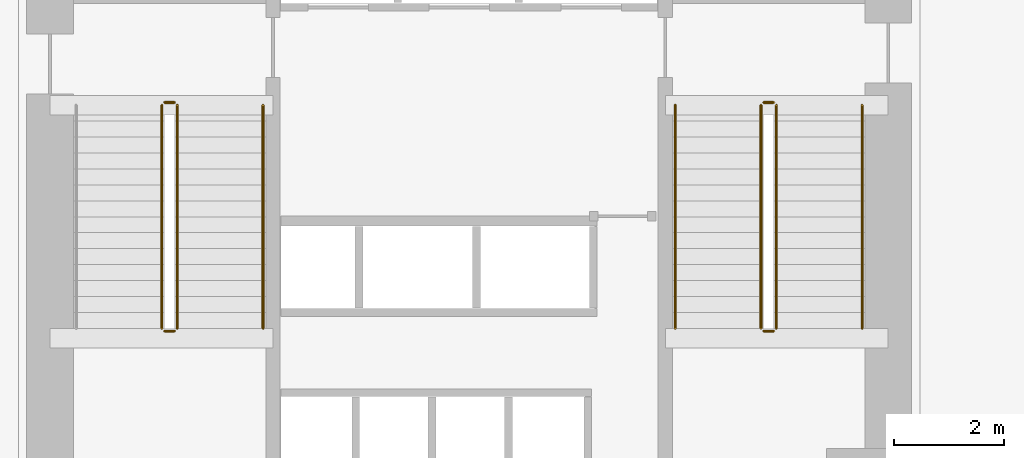
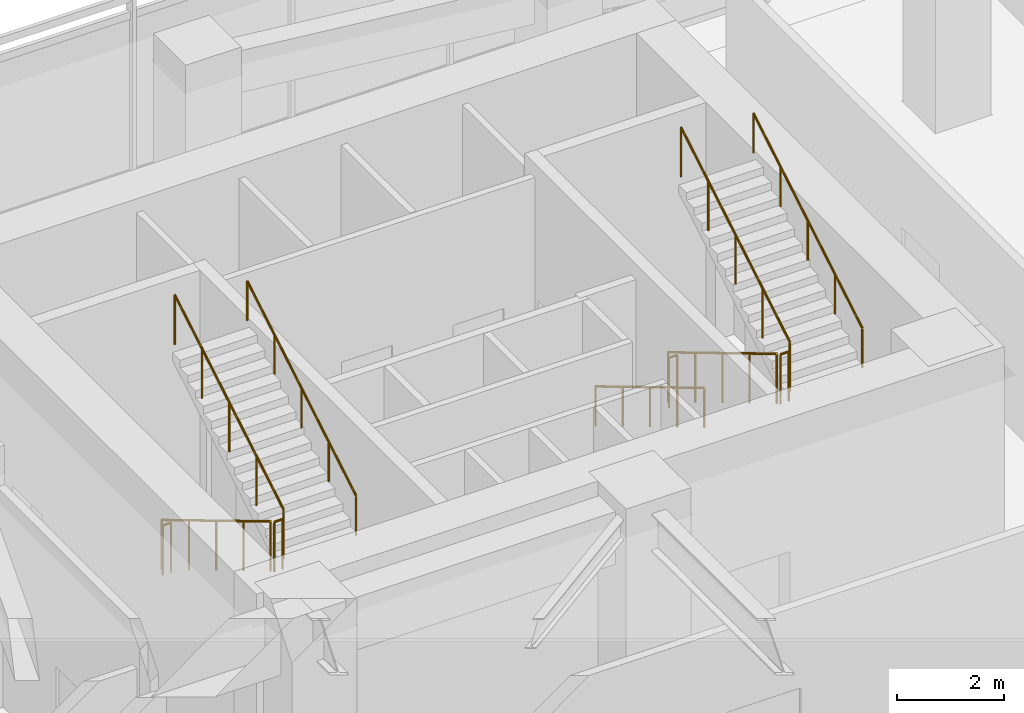
# One storey, part 16 of 16: 11 railings.
"""IFC4 building model written with IfcOpenShell, lengths in metres."""

from ifc_helpers import new_model, si_unit, direction, frame, origin, origin_2d, place, context, subcontext, project, spatial, circle, extrude, material, type_object, element, save


model = new_model("IFC4")

# Units and contexts
model_context = context("Model", 3, precision=1e-05, world=origin(), true_north=direction((0.0, 1.0)))
body_context = subcontext(model_context, "Body", "Model", "MODEL_VIEW")
ifc_project = project(units=[si_unit("LENGTHUNIT", "METRE"), si_unit("AREAUNIT", "SQUARE_METRE"), si_unit("VOLUMEUNIT", "CUBIC_METRE"), si_unit("PLANEANGLEUNIT", "RADIAN"), si_unit("MASSUNIT", "GRAM", prefix="KILO")], contexts=[model_context])

# Site, building, storey
site_placement = place(None, origin())
site = spatial("IfcSite", under=ifc_project, at=site_placement, CompositionType="ELEMENT")
building_placement = place(site_placement, origin())
building = spatial("IfcBuilding", under=site, at=building_placement, Name="Calvemar Wedge Station Tower", CompositionType="ELEMENT")
storey_placement = place(building_placement, frame((0.0, 0.0, 6.0)))
storey = spatial("IfcBuildingStorey", under=building, at=storey_placement, Name="L02", CompositionType="ELEMENT", Elevation=6.0)

# Railings
ifc_material_1 = material(Name="Stainless steel AISI 316L", Category="steel")
railing_type_1 = type_object("IfcRailingType", Name="RL-HANDRAIL-920", PredefinedType="HANDRAIL", material=ifc_material_1)
railing_1_placement = place(storey_placement, frame((20.050048828125, 37.090087890625, 2.7734375)))
element("IfcRailing", 1, at=railing_1_placement, inside=storey, type_object=railing_type_1, Name="L02 ST-C1 stair handrail 2", PredefinedType="HANDRAIL", context=body_context, shape_type="SweptSolid", body=[
    extrude(circle(Radius=0.02392578125, at=origin_2d()), frame((0.0, 0.0, 0.89599609375), z_axis=(0.0, 0.858366167383, 0.513037545109), x_axis=(-1.0, 0.0, 0.0)), (0.0, 0.0, 1.0), 4.729736328125),
    extrude(circle(Radius=0.02099609375, at=origin_2d()), origin(), (0.0, 0.0, 1.0), 0.871826171875),
    extrude(circle(Radius=0.02099609375, at=origin_2d()), frame((0.0, 1.014892578125, 0.606689453125)), (0.0, 0.0, 1.0), 0.871826171875),
    extrude(circle(Radius=0.02099609375, at=origin_2d()), frame((0.0, 2.02978515625, 1.21337890625)), (0.0, 0.0, 1.0), 0.871826171875),
    extrude(circle(Radius=0.02099609375, at=origin_2d()), frame((0.0, 3.044921875, 1.81982421875)), (0.0, 0.0, 1.0), 0.871826171875),
    extrude(circle(Radius=0.02099609375, at=origin_2d()), frame((0.0, 4.059814453125, 2.426513671875)), (0.0, 0.0, 1.0), 0.871826171875),
])
railing_2_placement = place(storey_placement, frame((27.550048828125, 41.14990234375, 0.17333984375)))
element("IfcRailing", 2, at=railing_2_placement, inside=storey, type_object=railing_type_1, Name="L02 ST-C2 stair handrail 1", PredefinedType="HANDRAIL", context=body_context, shape_type="SweptSolid", body=[
    extrude(circle(Radius=0.02392578125, at=origin_2d()), frame((0.0, 0.0, 0.89599609375), z_axis=(0.0, -0.858343435637, 0.513075575815), x_axis=(1.0, 0.0, 0.0)), (0.0, 0.0, 1.0), 4.729736328125),
    extrude(circle(Radius=0.02099609375, at=origin_2d()), origin(), (0.0, 0.0, 1.0), 0.871826171875),
    extrude(circle(Radius=0.02099609375, at=origin_2d()), frame((0.0, -1.014892578125, 0.606689453125)), (0.0, 0.0, 1.0), 0.871826171875),
    extrude(circle(Radius=0.02099609375, at=origin_2d()), frame((0.0, -2.02978515625, 1.21337890625)), (0.0, 0.0, 1.0), 0.871826171875),
    extrude(circle(Radius=0.02099609375, at=origin_2d()), frame((0.0, -3.044921875, 1.820068359375)), (0.0, 0.0, 1.0), 0.871826171875),
    extrude(circle(Radius=0.02099609375, at=origin_2d()), frame((0.0, -4.059814453125, 2.4267578125)), (0.0, 0.0, 1.0), 0.871826171875),
])
railing_3_placement = place(storey_placement, frame((30.949951171875, 37.090087890625, 2.7734375)))
element("IfcRailing", 3, at=railing_3_placement, inside=storey, type_object=railing_type_1, Name="L02 ST-C2 stair handrail 2", PredefinedType="HANDRAIL", context=body_context, shape_type="SweptSolid", body=[
    extrude(circle(Radius=0.02392578125, at=origin_2d()), frame((0.0, 0.0, 0.89599609375), z_axis=(0.0, 0.858366167383, 0.513037545109), x_axis=(-1.0, 0.0, 0.0)), (0.0, 0.0, 1.0), 4.729736328125),
    extrude(circle(Radius=0.02099609375, at=origin_2d()), origin(), (0.0, 0.0, 1.0), 0.871826171875),
    extrude(circle(Radius=0.02099609375, at=origin_2d()), frame((0.0, 1.014892578125, 0.606689453125)), (0.0, 0.0, 1.0), 0.871826171875),
    extrude(circle(Radius=0.02099609375, at=origin_2d()), frame((0.0, 2.02978515625, 1.21337890625)), (0.0, 0.0, 1.0), 0.871826171875),
    extrude(circle(Radius=0.02099609375, at=origin_2d()), frame((0.0, 3.044921875, 1.81982421875)), (0.0, 0.0, 1.0), 0.871826171875),
    extrude(circle(Radius=0.02099609375, at=origin_2d()), frame((0.0, 4.059814453125, 2.426513671875)), (0.0, 0.0, 1.0), 0.871826171875),
])
ifc_material_2 = material(Name="Painted steel guardrail ASTM A500 Grade C", Category="steel")
railing_type_2 = type_object("IfcRailingType", Name="RL-STAIR-GUARD-1150", PredefinedType="GUARDRAIL", material=ifc_material_2)
railing_4_placement = place(storey_placement, frame((18.2099609375, 41.14990234375, 0.17333984375)))
element("IfcRailing", 4, at=railing_4_placement, inside=storey, type_object=railing_type_2, Name="L02 ST-C1 stair guard 1", PredefinedType="GUARDRAIL", context=body_context, shape_type="SweptSolid", body=[
    extrude(circle(Radius=0.02392578125, at=origin_2d()), frame((0.0, 0.0, 1.1259765625), z_axis=(0.0, -0.858343435637, 0.513075575815), x_axis=(1.0, 0.0, 0.0)), (0.0, 0.0, 1.0), 4.729736328125),
    extrude(circle(Radius=0.02099609375, at=origin_2d()), origin(), (0.0, 0.0, 1.0), 1.101806640625),
    extrude(circle(Radius=0.02099609375, at=origin_2d()), frame((0.0, -1.014892578125, 0.606689453125)), (0.0, 0.0, 1.0), 1.101806640625),
    extrude(circle(Radius=0.02099609375, at=origin_2d()), frame((0.0, -2.02978515625, 1.21337890625)), (0.0, 0.0, 1.0), 1.101806640625),
    extrude(circle(Radius=0.02099609375, at=origin_2d()), frame((0.0, -3.044921875, 1.820068359375)), (0.0, 0.0, 1.0), 1.101806640625),
    extrude(circle(Radius=0.02099609375, at=origin_2d()), frame((0.0, -4.059814453125, 2.4267578125)), (0.0, 0.0, 1.0), 1.101806640625),
])
railing_5_placement = place(storey_placement, frame((18.260009765625, 37.0400390625, 2.60009765625)))
element("IfcRailing", 5, at=railing_5_placement, inside=storey, type_object=railing_type_2, Name="L02 ST-C1 stair guard 2", PredefinedType="GUARDRAIL", context=body_context, shape_type="SweptSolid", body=[
    extrude(circle(Radius=0.02392578125, at=origin_2d()), frame((0.0, 0.0, 1.1259765625), z_axis=(1.0, 0.0, 0.0), x_axis=(0.0, 1.0, 0.0)), (0.0, 0.0, 1.0), 0.179931640625),
    extrude(circle(Radius=0.02099609375, at=origin_2d()), origin(), (0.0, 0.0, 1.0), 1.101806640625),
    extrude(circle(Radius=0.02099609375, at=origin_2d()), frame((0.179931640625, 0.0, 0.0)), (0.0, 0.0, 1.0), 1.101806640625),
])
railing_6_placement = place(storey_placement, frame((18.489990234375, 37.090087890625, 2.7734375)))
element("IfcRailing", 6, at=railing_6_placement, inside=storey, type_object=railing_type_2, Name="L02 ST-C1 stair guard 3", PredefinedType="GUARDRAIL", context=body_context, shape_type="SweptSolid", body=[
    extrude(circle(Radius=0.02392578125, at=origin_2d()), frame((0.0, 0.0, 1.1259765625), z_axis=(0.0, 0.858366167383, 0.513037545109), x_axis=(-1.0, 0.0, 0.0)), (0.0, 0.0, 1.0), 4.729736328125),
    extrude(circle(Radius=0.02099609375, at=origin_2d()), origin(), (0.0, 0.0, 1.0), 1.101806640625),
    extrude(circle(Radius=0.02099609375, at=origin_2d()), frame((0.0, 1.014892578125, 0.606689453125)), (0.0, 0.0, 1.0), 1.101806640625),
    extrude(circle(Radius=0.02099609375, at=origin_2d()), frame((0.0, 2.02978515625, 1.21337890625)), (0.0, 0.0, 1.0), 1.101806640625),
    extrude(circle(Radius=0.02099609375, at=origin_2d()), frame((0.0, 3.044921875, 1.81982421875)), (0.0, 0.0, 1.0), 1.101806640625),
    extrude(circle(Radius=0.02099609375, at=origin_2d()), frame((0.0, 4.059814453125, 2.426513671875)), (0.0, 0.0, 1.0), 1.101806640625),
])
railing_7_placement = place(storey_placement, frame((18.260009765625, 41.199951171875, 0.0)))
element("IfcRailing", 7, at=railing_7_placement, inside=storey, type_object=railing_type_2, Name="L02 ST-C1 stair guard 4", PredefinedType="GUARDRAIL", context=body_context, shape_type="SweptSolid", body=[
    extrude(circle(Radius=0.02392578125, at=origin_2d()), frame((0.0, 0.0, 1.1259765625), z_axis=(1.0, 0.0, 0.0), x_axis=(0.0, 1.0, 0.0)), (0.0, 0.0, 1.0), 0.179931640625),
    extrude(circle(Radius=0.02099609375, at=origin_2d()), origin(), (0.0, 0.0, 1.0), 1.101806640625),
    extrude(circle(Radius=0.02099609375, at=origin_2d()), frame((0.179931640625, 0.0, 0.0)), (0.0, 0.0, 1.0), 1.101806640625),
])
railing_8_placement = place(storey_placement, frame((29.110107421875, 41.14990234375, 0.17333984375)))
element("IfcRailing", 8, at=railing_8_placement, inside=storey, type_object=railing_type_2, Name="L02 ST-C2 stair guard 1", PredefinedType="GUARDRAIL", context=body_context, shape_type="SweptSolid", body=[
    extrude(circle(Radius=0.02392578125, at=origin_2d()), frame((0.0, 0.0, 1.1259765625), z_axis=(0.0, -0.858343435637, 0.513075575815), x_axis=(1.0, 0.0, 0.0)), (0.0, 0.0, 1.0), 4.729736328125),
    extrude(circle(Radius=0.02099609375, at=origin_2d()), origin(), (0.0, 0.0, 1.0), 1.101806640625),
    extrude(circle(Radius=0.02099609375, at=origin_2d()), frame((0.0, -1.014892578125, 0.606689453125)), (0.0, 0.0, 1.0), 1.101806640625),
    extrude(circle(Radius=0.02099609375, at=origin_2d()), frame((0.0, -2.02978515625, 1.21337890625)), (0.0, 0.0, 1.0), 1.101806640625),
    extrude(circle(Radius=0.02099609375, at=origin_2d()), frame((0.0, -3.044921875, 1.820068359375)), (0.0, 0.0, 1.0), 1.101806640625),
    extrude(circle(Radius=0.02099609375, at=origin_2d()), frame((0.0, -4.059814453125, 2.4267578125)), (0.0, 0.0, 1.0), 1.101806640625),
])
railing_9_placement = place(storey_placement, frame((29.159912109375, 37.0400390625, 2.60009765625)))
element("IfcRailing", 9, at=railing_9_placement, inside=storey, type_object=railing_type_2, Name="L02 ST-C2 stair guard 2", PredefinedType="GUARDRAIL", context=body_context, shape_type="SweptSolid", body=[
    extrude(circle(Radius=0.02392578125, at=origin_2d()), frame((0.0, 0.0, 1.1259765625), z_axis=(1.0, 0.0, 0.0), x_axis=(0.0, 1.0, 0.0)), (0.0, 0.0, 1.0), 0.18017578125),
    extrude(circle(Radius=0.02099609375, at=origin_2d()), origin(), (0.0, 0.0, 1.0), 1.101806640625),
    extrude(circle(Radius=0.02099609375, at=origin_2d()), frame((0.18017578125, 0.0, 0.0)), (0.0, 0.0, 1.0), 1.101806640625),
])
railing_10_placement = place(storey_placement, frame((29.389892578125, 37.090087890625, 2.7734375)))
element("IfcRailing", 10, at=railing_10_placement, inside=storey, type_object=railing_type_2, Name="L02 ST-C2 stair guard 3", PredefinedType="GUARDRAIL", context=body_context, shape_type="SweptSolid", body=[
    extrude(circle(Radius=0.02392578125, at=origin_2d()), frame((0.0, 0.0, 1.1259765625), z_axis=(0.0, 0.858366167383, 0.513037545109), x_axis=(-1.0, 0.0, 0.0)), (0.0, 0.0, 1.0), 4.729736328125),
    extrude(circle(Radius=0.02099609375, at=origin_2d()), origin(), (0.0, 0.0, 1.0), 1.101806640625),
    extrude(circle(Radius=0.02099609375, at=origin_2d()), frame((0.0, 1.014892578125, 0.606689453125)), (0.0, 0.0, 1.0), 1.101806640625),
    extrude(circle(Radius=0.02099609375, at=origin_2d()), frame((0.0, 2.02978515625, 1.21337890625)), (0.0, 0.0, 1.0), 1.101806640625),
    extrude(circle(Radius=0.02099609375, at=origin_2d()), frame((0.0, 3.044921875, 1.81982421875)), (0.0, 0.0, 1.0), 1.101806640625),
    extrude(circle(Radius=0.02099609375, at=origin_2d()), frame((0.0, 4.059814453125, 2.426513671875)), (0.0, 0.0, 1.0), 1.101806640625),
])
railing_11_placement = place(storey_placement, frame((29.159912109375, 41.199951171875, 0.0)))
element("IfcRailing", 11, at=railing_11_placement, inside=storey, type_object=railing_type_2, Name="L02 ST-C2 stair guard 4", PredefinedType="GUARDRAIL", context=body_context, shape_type="SweptSolid", body=[
    extrude(circle(Radius=0.02392578125, at=origin_2d()), frame((0.0, 0.0, 1.1259765625), z_axis=(1.0, 0.0, 0.0), x_axis=(0.0, 1.0, 0.0)), (0.0, 0.0, 1.0), 0.18017578125),
    extrude(circle(Radius=0.02099609375, at=origin_2d()), origin(), (0.0, 0.0, 1.0), 1.101806640625),
    extrude(circle(Radius=0.02099609375, at=origin_2d()), frame((0.18017578125, 0.0, 0.0)), (0.0, 0.0, 1.0), 1.101806640625),
])

save(model, "model.ifc")
